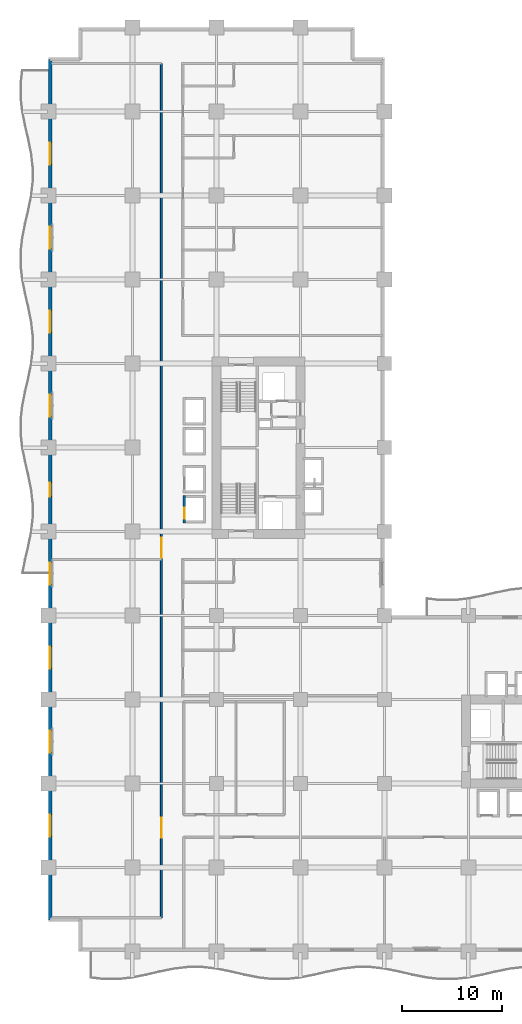
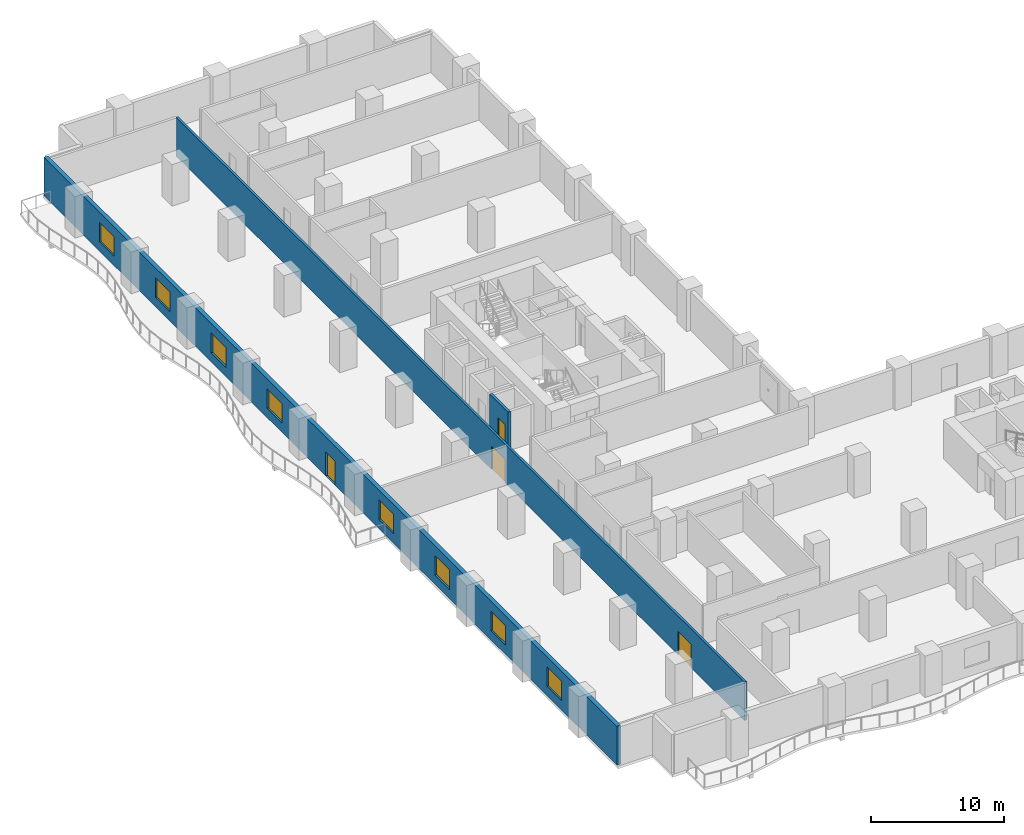
# One storey, part 7 of 18: 8 windows, 4 doors, 3 walls, 12 openings.
"""IFC4 building model written with IfcOpenShell, lengths in metres."""

from ifc_helpers import new_model, si_unit, direction, frame, frame_2d, origin, place, context, subcontext, project, spatial, rectangle, extrude, material, layer, layer_set, type_object, element, fill, save


model = new_model("IFC4")

# Units and contexts
model_context = context("Model", 3, precision=1e-05, world=origin(), true_north=direction((0.0, 1.0)))
body_context = subcontext(model_context, "Body", "Model", "MODEL_VIEW")
ifc_project = project(units=[si_unit("LENGTHUNIT", "METRE"), si_unit("AREAUNIT", "SQUARE_METRE"), si_unit("VOLUMEUNIT", "CUBIC_METRE"), si_unit("PLANEANGLEUNIT", "RADIAN"), si_unit("MASSUNIT", "GRAM", prefix="KILO")], contexts=[model_context])

# Site, building, storey
site_placement = place(None, origin())
site = spatial("IfcSite", under=ifc_project, at=site_placement, CompositionType="ELEMENT")
building_placement = place(site_placement, origin())
building = spatial("IfcBuilding", under=site, at=building_placement, Name="Koriwani Terraces Tower", CompositionType="ELEMENT")
storey_placement = place(building_placement, frame((0.0, 0.0, 81.39990234375)))
storey = spatial("IfcBuildingStorey", under=building, at=storey_placement, Name="L19", CompositionType="ELEMENT", Elevation=81.39990234375)

# Wall, openings, doors
ifc_material_1 = material(Name="Autoclaved Cellular Concrete Blockwork", Category="masonry")
ifc_layer_1 = layer(ifc_material_1, 0.199951171875, Name="Autoclaved Cellular Concrete Blockwork")
ifc_layer_set_1 = layer_set([ifc_layer_1], Name="Autoclaved Cellular Concrete Blockwork")
wall_type_1 = type_object("IfcWallType", Name="WALL_CORRIDOR_200", PredefinedType="PARTITIONING", material=ifc_layer_set_1)
wall_1_placement = place(storey_placement, frame((11.300048828125, 3.39990234375, 0.0), z_axis=(0.0, 0.0, 1.0), x_axis=(0.0, 1.0, 0.0)))
wall_1 = element("IfcWall", 1, at=wall_1_placement, inside=storey, type_object=wall_type_1, Name="L19 Interior Wall WZ1NWCL-L19", PredefinedType="PARTITIONING", context=body_context, shape_type="SweptSolid", body=[
    extrude(rectangle(XDim=85.400146484375, YDim=0.199951171875, at=frame_2d((42.7001953125, 0.0))), origin(), (0.0, 0.0, 1.0), 3.550048828125),
])
opening_1_placement = place(wall_1_placement, frame((8.0, 0.0, 0.0)))
opening_1 = element("IfcOpeningElement", 2, at=opening_1_placement, cuts=wall_1, Name="Opening D-02", PredefinedType="OPENING", context=body_context, shape_type="SweptSolid", body=[
    extrude(rectangle(XDim=2.0, YDim=2.14990234375, at=frame_2d((1.0, 1.074951171875))), frame((0.0, 0.10986328125, 0.0), z_axis=(0.0, -1.0, 0.0), x_axis=(1.0, 0.0, 0.0)), (0.0, 0.0, 1.0), 0.219970703125),
])
opening_2_placement = place(wall_1_placement, frame((36.0, 0.0, 0.0)))
opening_2 = element("IfcOpeningElement", 3, at=opening_2_placement, cuts=wall_1, Name="Opening D-02", PredefinedType="OPENING", context=body_context, shape_type="SweptSolid", body=[
    extrude(rectangle(XDim=2.0, YDim=2.14990234375, at=frame_2d((1.0, 1.074951171875))), frame((0.0, 0.10986328125, 0.0), z_axis=(0.0, -1.0, 0.0), x_axis=(1.0, 0.0, 0.0)), (0.0, 0.0, 1.0), 0.219970703125),
])
ifc_material_2 = material(Name="Anodised Bronze Aluminium", Category="aluminium")
door_type_1 = type_object("IfcDoorType", Name="DOOR_ENTRANCE_DOUBLE_2000X2400", OperationType="NOTDEFINED", PredefinedType="DOOR", material=ifc_material_2)
door_1_placement = place(opening_1_placement, origin())
door_1 = element("IfcDoor", 4, at=door_1_placement, inside=storey, type_object=door_type_1, Name="L19 Hotel Spa Wellness Hall Door", OperationType="SINGLE_SWING_LEFT", OverallHeight=2.14990234375, OverallWidth=2.0, PredefinedType="DOOR", context=body_context, shape_type="SweptSolid", body=[
    extrude(rectangle(XDim=2.0, YDim=2.14990234375, at=frame_2d((1.0, 1.074951171875))), frame((0.0, 0.02490234375, 0.0), z_axis=(0.0, -1.0, 0.0), x_axis=(1.0, 0.0, 0.0)), (0.0, 0.0, 1.0), 0.050048828125),
])
fill(opening_1, door_1)
door_2_placement = place(opening_2_placement, origin())
door_2 = element("IfcDoor", 5, at=door_2_placement, inside=storey, type_object=door_type_1, Name="L19 Hotel Cinema Conference Door", OperationType="SINGLE_SWING_RIGHT", OverallHeight=2.14990234375, OverallWidth=2.0, PredefinedType="DOOR", context=body_context, shape_type="SweptSolid", body=[
    extrude(rectangle(XDim=2.0, YDim=2.14990234375, at=frame_2d((1.0, 1.074951171875))), frame((0.0, 0.02490234375, 0.0), z_axis=(0.0, -1.0, 0.0), x_axis=(1.0, 0.0, 0.0)), (0.0, 0.0, 1.0), 0.050048828125),
])
fill(opening_2, door_2)

# Wall, openings, door, windows
ifc_material_3 = material(Name="Concrete C50/60", Category="concrete")
ifc_layer_2 = layer(ifc_material_3, 0.35009765625, Name="Concrete C50/60")
ifc_layer_set_2 = layer_set([ifc_layer_2], Name="Concrete C50/60")
wall_type_2 = type_object("IfcWallType", Name="WALL_EXT_BRUTALIST_350", PredefinedType="STANDARD", material=ifc_layer_set_2)
wall_2_placement = place(storey_placement, frame((0.175048828125, 3.175048828125, 0.0), z_axis=(0.0, 0.0, 1.0), x_axis=(0.0, 1.0, 0.0)))
wall_2 = element("IfcWall", 6, at=wall_2_placement, inside=storey, type_object=wall_type_2, Name="L19 Fair-Faced Brutalist Exterior Wall (W)", PredefinedType="STANDARD", context=body_context, shape_type="SweptSolid", body=[
    extrude(rectangle(XDim=86.050048828125, YDim=0.35009765625, at=frame_2d((43.02490234375, 0.0))), origin(), (0.0, 0.0, 1.0), 3.550048828125),
])
opening_3_placement = place(wall_2_placement, frame((42.324951171875, 0.0, 0.0)))
opening_3 = element("IfcOpeningElement", 7, at=opening_3_placement, cuts=wall_2, Name="Opening D-09", PredefinedType="OPENING", context=body_context, shape_type="SweptSolid", body=[
    extrude(rectangle(XDim=1.39990234375, YDim=2.199951171875, at=frame_2d((0.699951171875, 1.10009765625))), frame((0.0, 0.18505859375, 0.0), z_axis=(0.0, -1.0, 0.0), x_axis=(1.0, 0.0, 0.0)), (0.0, 0.0, 1.0), 0.3701171875),
])
opening_4_placement = place(wall_2_placement, frame((8.324951171875, 0.0, 0.85009765625)))
opening_4 = element("IfcOpeningElement", 8, at=opening_4_placement, cuts=wall_2, Name="Opening W-01", PredefinedType="OPENING", context=body_context, shape_type="SweptSolid", body=[
    extrude(rectangle(XDim=2.199951171875, YDim=1.800048828125, at=frame_2d((1.10009765625, 0.89990234375))), frame((0.0, 0.18505859375, 0.0), z_axis=(0.0, -1.0, 0.0), x_axis=(1.0, 0.0, 0.0)), (0.0, 0.0, 1.0), 0.3701171875),
])
opening_5_placement = place(wall_2_placement, frame((16.72509765625, 0.0, 0.85009765625)))
opening_5 = element("IfcOpeningElement", 9, at=opening_5_placement, cuts=wall_2, Name="Opening W-01", PredefinedType="OPENING", context=body_context, shape_type="SweptSolid", body=[
    extrude(rectangle(XDim=2.199951171875, YDim=1.800048828125, at=frame_2d((1.10009765625, 0.89990234375))), frame((0.0, 0.18505859375, 0.0), z_axis=(0.0, -1.0, 0.0), x_axis=(1.0, 0.0, 0.0)), (0.0, 0.0, 1.0), 0.3701171875),
])
opening_6_placement = place(wall_2_placement, frame((25.125, 0.0, 0.85009765625)))
opening_6 = element("IfcOpeningElement", 10, at=opening_6_placement, cuts=wall_2, Name="Opening W-01", PredefinedType="OPENING", context=body_context, shape_type="SweptSolid", body=[
    extrude(rectangle(XDim=2.199951171875, YDim=1.800048828125, at=frame_2d((1.10009765625, 0.89990234375))), frame((0.0, 0.18505859375, 0.0), z_axis=(0.0, -1.0, 0.0), x_axis=(1.0, 0.0, 0.0)), (0.0, 0.0, 1.0), 0.3701171875),
])
opening_7_placement = place(wall_2_placement, frame((33.52490234375, 0.0, 0.85009765625)))
opening_7 = element("IfcOpeningElement", 11, at=opening_7_placement, cuts=wall_2, Name="Opening W-01", PredefinedType="OPENING", context=body_context, shape_type="SweptSolid", body=[
    extrude(rectangle(XDim=2.199951171875, YDim=1.800048828125, at=frame_2d((1.10009765625, 0.89990234375))), frame((0.0, 0.18505859375, 0.0), z_axis=(0.0, -1.0, 0.0), x_axis=(1.0, 0.0, 0.0)), (0.0, 0.0, 1.0), 0.3701171875),
])
opening_8_placement = place(wall_2_placement, frame((50.324951171875, 0.0, 0.85009765625)))
opening_8 = element("IfcOpeningElement", 12, at=opening_8_placement, cuts=wall_2, Name="Opening W-01", PredefinedType="OPENING", context=body_context, shape_type="SweptSolid", body=[
    extrude(rectangle(XDim=2.199951171875, YDim=1.800048828125, at=frame_2d((1.10009765625, 0.89990234375))), frame((0.0, 0.18505859375, 0.0), z_axis=(0.0, -1.0, 0.0), x_axis=(1.0, 0.0, 0.0)), (0.0, 0.0, 1.0), 0.3701171875),
])
opening_9_placement = place(wall_2_placement, frame((58.72509765625, 0.0, 0.85009765625)))
opening_9 = element("IfcOpeningElement", 13, at=opening_9_placement, cuts=wall_2, Name="Opening W-01", PredefinedType="OPENING", context=body_context, shape_type="SweptSolid", body=[
    extrude(rectangle(XDim=2.199951171875, YDim=1.800048828125, at=frame_2d((1.10009765625, 0.89990234375))), frame((0.0, 0.18505859375, 0.0), z_axis=(0.0, -1.0, 0.0), x_axis=(1.0, 0.0, 0.0)), (0.0, 0.0, 1.0), 0.3701171875),
])
opening_10_placement = place(wall_2_placement, frame((67.125, 0.0, 0.85009765625)))
opening_10 = element("IfcOpeningElement", 14, at=opening_10_placement, cuts=wall_2, Name="Opening W-01", PredefinedType="OPENING", context=body_context, shape_type="SweptSolid", body=[
    extrude(rectangle(XDim=2.199951171875, YDim=1.800048828125, at=frame_2d((1.10009765625, 0.89990234375))), frame((0.0, 0.18505859375, 0.0), z_axis=(0.0, -1.0, 0.0), x_axis=(1.0, 0.0, 0.0)), (0.0, 0.0, 1.0), 0.3701171875),
])
opening_11_placement = place(wall_2_placement, frame((75.52490234375, 0.0, 0.85009765625)))
opening_11 = element("IfcOpeningElement", 15, at=opening_11_placement, cuts=wall_2, Name="Opening W-01", PredefinedType="OPENING", context=body_context, shape_type="SweptSolid", body=[
    extrude(rectangle(XDim=2.199951171875, YDim=1.800048828125, at=frame_2d((1.10009765625, 0.89990234375))), frame((0.0, 0.18505859375, 0.0), z_axis=(0.0, -1.0, 0.0), x_axis=(1.0, 0.0, 0.0)), (0.0, 0.0, 1.0), 0.3701171875),
])
door_type_2 = type_object("IfcDoorType", Name="DOOR_BALCONY_GLAZED_1400X2200", OperationType="NOTDEFINED", PredefinedType="DOOR", material=ifc_material_2)
door_3_placement = place(opening_3_placement, origin())
door_3 = element("IfcDoor", 16, at=door_3_placement, inside=storey, type_object=door_type_2, Name="L19 West Balcony Glazed Door", OperationType="SINGLE_SWING_LEFT", OverallHeight=2.199951171875, OverallWidth=1.39990234375, PredefinedType="DOOR", context=body_context, shape_type="SweptSolid", body=[
    extrude(rectangle(XDim=1.39990234375, YDim=2.199951171875, at=frame_2d((0.699951171875, 1.10009765625))), frame((0.0, 0.02490234375, 0.0), z_axis=(0.0, -1.0, 0.0), x_axis=(1.0, 0.0, 0.0)), (0.0, 0.0, 1.0), 0.050048828125),
])
fill(opening_3, door_3)
ifc_material_4 = material(Name="Tempered Laminated Low-E Glass", Category="glass")
window_type = type_object("IfcWindowType", Name="WIN_HOTEL_STD_2200X1800", PartitioningType="DOUBLE_PANEL_VERTICAL", PredefinedType="WINDOW", material=ifc_material_4)
window_1_placement = place(opening_4_placement, origin())
window_1 = element("IfcWindow", 17, at=window_1_placement, inside=storey, type_object=window_type, Name="L19 Exterior Window (W-3)", OverallHeight=1.800048828125, OverallWidth=2.199951171875, PartitioningType="SINGLE_PANEL", PredefinedType="WINDOW", context=body_context, shape_type="SweptSolid", body=[
    extrude(rectangle(XDim=2.199951171875, YDim=1.800048828125, at=frame_2d((1.10009765625, 0.89990234375))), frame((0.0, 0.030029296875, 0.0), z_axis=(0.0, -1.0, 0.0), x_axis=(1.0, 0.0, 0.0)), (0.0, 0.0, 1.0), 0.06005859375),
])
fill(opening_4, window_1)
window_2_placement = place(opening_5_placement, origin())
window_2 = element("IfcWindow", 18, at=window_2_placement, inside=storey, type_object=window_type, Name="L19 Exterior Window (W-6)", OverallHeight=1.800048828125, OverallWidth=2.199951171875, PartitioningType="SINGLE_PANEL", PredefinedType="WINDOW", context=body_context, shape_type="SweptSolid", body=[
    extrude(rectangle(XDim=2.199951171875, YDim=1.800048828125, at=frame_2d((1.10009765625, 0.89990234375))), frame((0.0, 0.030029296875, 0.0), z_axis=(0.0, -1.0, 0.0), x_axis=(1.0, 0.0, 0.0)), (0.0, 0.0, 1.0), 0.06005859375),
])
fill(opening_5, window_2)
window_3_placement = place(opening_6_placement, origin())
window_3 = element("IfcWindow", 19, at=window_3_placement, inside=storey, type_object=window_type, Name="L19 Exterior Window (W-9)", OverallHeight=1.800048828125, OverallWidth=2.199951171875, PartitioningType="SINGLE_PANEL", PredefinedType="WINDOW", context=body_context, shape_type="SweptSolid", body=[
    extrude(rectangle(XDim=2.199951171875, YDim=1.800048828125, at=frame_2d((1.10009765625, 0.89990234375))), frame((0.0, 0.030029296875, 0.0), z_axis=(0.0, -1.0, 0.0), x_axis=(1.0, 0.0, 0.0)), (0.0, 0.0, 1.0), 0.06005859375),
])
fill(opening_6, window_3)
window_4_placement = place(opening_7_placement, origin())
window_4 = element("IfcWindow", 20, at=window_4_placement, inside=storey, type_object=window_type, Name="L19 Exterior Window (W-12)", OverallHeight=1.800048828125, OverallWidth=2.199951171875, PartitioningType="SINGLE_PANEL", PredefinedType="WINDOW", context=body_context, shape_type="SweptSolid", body=[
    extrude(rectangle(XDim=2.199951171875, YDim=1.800048828125, at=frame_2d((1.10009765625, 0.89990234375))), frame((0.0, 0.030029296875, 0.0), z_axis=(0.0, -1.0, 0.0), x_axis=(1.0, 0.0, 0.0)), (0.0, 0.0, 1.0), 0.06005859375),
])
fill(opening_7, window_4)
window_5_placement = place(opening_8_placement, origin())
window_5 = element("IfcWindow", 21, at=window_5_placement, inside=storey, type_object=window_type, Name="L19 Exterior Window (W-18)", OverallHeight=1.800048828125, OverallWidth=2.199951171875, PartitioningType="SINGLE_PANEL", PredefinedType="WINDOW", context=body_context, shape_type="SweptSolid", body=[
    extrude(rectangle(XDim=2.199951171875, YDim=1.800048828125, at=frame_2d((1.10009765625, 0.89990234375))), frame((0.0, 0.030029296875, 0.0), z_axis=(0.0, -1.0, 0.0), x_axis=(1.0, 0.0, 0.0)), (0.0, 0.0, 1.0), 0.06005859375),
])
fill(opening_8, window_5)
window_6_placement = place(opening_9_placement, origin())
window_6 = element("IfcWindow", 22, at=window_6_placement, inside=storey, type_object=window_type, Name="L19 Exterior Window (W-21)", OverallHeight=1.800048828125, OverallWidth=2.199951171875, PartitioningType="SINGLE_PANEL", PredefinedType="WINDOW", context=body_context, shape_type="SweptSolid", body=[
    extrude(rectangle(XDim=2.199951171875, YDim=1.800048828125, at=frame_2d((1.10009765625, 0.89990234375))), frame((0.0, 0.030029296875, 0.0), z_axis=(0.0, -1.0, 0.0), x_axis=(1.0, 0.0, 0.0)), (0.0, 0.0, 1.0), 0.06005859375),
])
fill(opening_9, window_6)
window_7_placement = place(opening_10_placement, origin())
window_7 = element("IfcWindow", 23, at=window_7_placement, inside=storey, type_object=window_type, Name="L19 Exterior Window (W-24)", OverallHeight=1.800048828125, OverallWidth=2.199951171875, PartitioningType="SINGLE_PANEL", PredefinedType="WINDOW", context=body_context, shape_type="SweptSolid", body=[
    extrude(rectangle(XDim=2.199951171875, YDim=1.800048828125, at=frame_2d((1.10009765625, 0.89990234375))), frame((0.0, 0.030029296875, 0.0), z_axis=(0.0, -1.0, 0.0), x_axis=(1.0, 0.0, 0.0)), (0.0, 0.0, 1.0), 0.06005859375),
])
fill(opening_10, window_7)
window_8_placement = place(opening_11_placement, origin())
window_8 = element("IfcWindow", 24, at=window_8_placement, inside=storey, type_object=window_type, Name="L19 Exterior Window (W-27)", OverallHeight=1.800048828125, OverallWidth=2.199951171875, PartitioningType="SINGLE_PANEL", PredefinedType="WINDOW", context=body_context, shape_type="SweptSolid", body=[
    extrude(rectangle(XDim=2.199951171875, YDim=1.800048828125, at=frame_2d((1.10009765625, 0.89990234375))), frame((0.0, 0.030029296875, 0.0), z_axis=(0.0, -1.0, 0.0), x_axis=(1.0, 0.0, 0.0)), (0.0, 0.0, 1.0), 0.06005859375),
])
fill(opening_11, window_8)

# Wall, opening, door
ifc_material_5 = material(Name="Concrete C40/50", Category="concrete")
ifc_layer_3 = layer(ifc_material_5, 0.25, Name="Concrete C40/50")
ifc_layer_set_3 = layer_set([ifc_layer_3], Name="Concrete C40/50")
wall_type_3 = type_object("IfcWallType", Name="WALL_SHAFT_RATED_250", PredefinedType="SOLIDWALL", material=ifc_layer_set_3)
wall_3_placement = place(storey_placement, frame((13.60009765625, 42.875, 0.0), z_axis=(0.0, 0.0, 1.0), x_axis=(0.0, 1.0, 0.0)))
wall_3 = element("IfcWall", 25, at=wall_3_placement, inside=storey, type_object=wall_type_3, Name="L19 Interior Wall WIN-LF-PE-L1-L19-F", PredefinedType="SOLIDWALL", context=body_context, shape_type="SweptSolid", body=[
    extrude(rectangle(XDim=2.75, YDim=0.25, at=frame_2d((1.375, 0.0))), origin(), (0.0, 0.0, 1.0), 3.550048828125),
])
opening_12_placement = place(wall_3_placement, frame((0.39990234375, 0.0, 0.0)))
opening_12 = element("IfcOpeningElement", 26, at=opening_12_placement, cuts=wall_3, Name="Opening LD-01", PredefinedType="OPENING", context=body_context, shape_type="SweptSolid", body=[
    extrude(rectangle(XDim=1.10009765625, YDim=2.14990234375, at=frame_2d((0.550048828125, 1.074951171875))), frame((0.0, 0.135009765625, 0.0), z_axis=(0.0, -1.0, 0.0), x_axis=(1.0, 0.0, 0.0)), (0.0, 0.0, 1.0), 0.27001953125),
])
ifc_material_6 = material(Name="Steel ASTM A572 Grade 50", Category="steel")
door_type_3 = type_object("IfcDoorType", Name="DOOR_LIFT_LANDING_1100X2200", OperationType="NOTDEFINED", PredefinedType="DOOR", material=ifc_material_6)
door_4_placement = place(opening_12_placement, origin())
door_4 = element("IfcDoor", 27, at=door_4_placement, inside=storey, type_object=door_type_3, Name="L19 Passenger Lift PE-L1 Landing Door", OperationType="SLIDING_TO_LEFT", OverallHeight=2.14990234375, OverallWidth=1.10009765625, PredefinedType="DOOR", context=body_context, shape_type="SweptSolid", body=[
    extrude(rectangle(XDim=1.10009765625, YDim=2.14990234375, at=frame_2d((0.550048828125, 1.074951171875))), frame((0.0, 0.02490234375, 0.0), z_axis=(0.0, -1.0, 0.0), x_axis=(1.0, 0.0, 0.0)), (0.0, 0.0, 1.0), 0.050048828125),
])
fill(opening_12, door_4)

save(model, "model.ifc")
